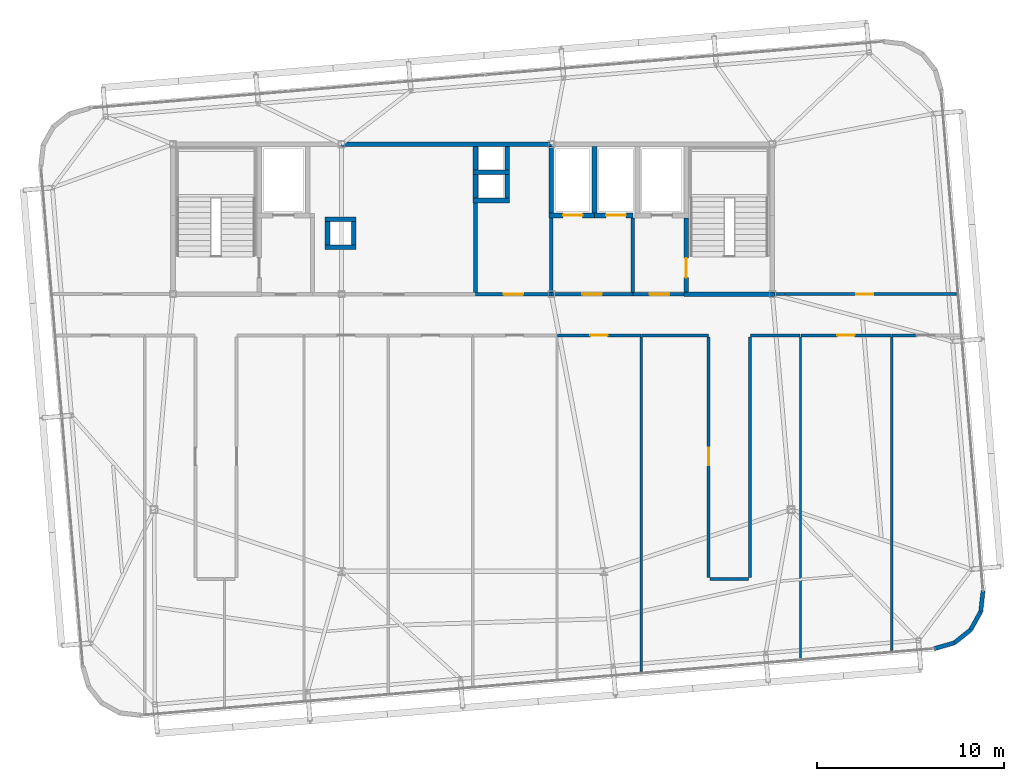
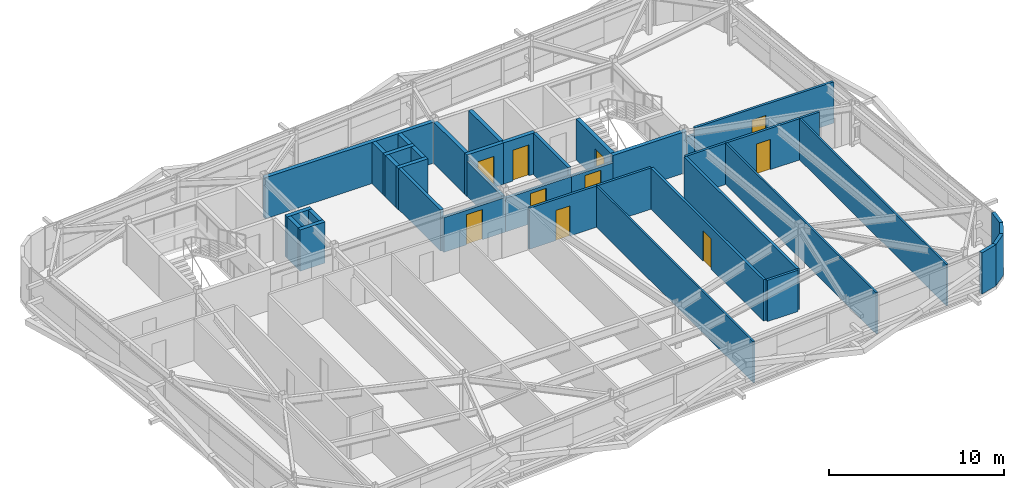
# One storey, part 36 of 39: 40 walls, 10 doors, 10 openings.
"""IFC4 building model written with IfcOpenShell, lengths in metres."""

import ifcopenshell
import ifcopenshell.guid

model = None  # the IFC model being written
_history = None  # IfcOwnerHistory: only IFC2X3 demands one
_inside = {}  # id of a spatial element -> (the spatial element, [elements in it])
_under = {}  # id of a project, library or spatial element -> (it, [spatial elements below it])
_declared = {}  # id of a project -> (the project, [libraries it declares])
_typed = {}  # id of a type object -> (the type object, [elements of that type])
_made_of = {}  # id of a material, layer set ... -> (it, [elements and type objects made of it])


def new_model(schema):
    """Start an empty IFC model of exactly this schema.

    Asked for "IFC4X3", IfcOpenShell would pick the latest addendum, in which some entities
    have other attributes; the version numbers below select the first issue.
    IFC2X3 requires an IfcOwnerHistory on every rooted entity: one is made here for all.
    """
    global model, _history
    if schema == "IFC4X3":
        model = ifcopenshell.file(schema_version=(4, 3, 0, 0))
    else:
        model = ifcopenshell.file(schema=schema)
    _inside.clear()
    _under.clear()
    _declared.clear()
    _typed.clear()
    _made_of.clear()
    _history = None
    if model.schema == "IFC2X3":
        org = make("IfcOrganization", Name="unknown")
        user = make(
            "IfcPersonAndOrganization",
            ThePerson=make("IfcPerson", FamilyName="unknown"),
            TheOrganization=org,
        )
        app = make(
            "IfcApplication",
            ApplicationDeveloper=org,
            Version="unknown",
            ApplicationFullName="unknown",
            ApplicationIdentifier="unknown",
        )
        _history = make(
            "IfcOwnerHistory",
            OwningUser=user,
            OwningApplication=app,
            ChangeAction="ADDED",
            CreationDate=0,
        )
    return model


def make(cls, **values):
    """One entity of the class cls with the attributes given. An attribute that is None is left unset."""
    return model.create_entity(
        cls, **{name: value for name, value in values.items() if value is not None}
    )


def rooted(cls, **values):
    """An entity with a GlobalId (a new one), such as an element, a storey or a relation."""
    return make(cls, GlobalId=ifcopenshell.guid.new(), OwnerHistory=_history, **values)


def si_unit(unit_type, name, prefix=None):
    """IfcSIUnit, for example si_unit("LENGTHUNIT", "METRE", prefix="MILLI")."""
    return make("IfcSIUnit", UnitType=unit_type, Prefix=prefix, Name=name)


def assignment(units):
    """IfcUnitAssignment: the units of a project."""
    return None if units is None else make("IfcUnitAssignment", Units=units)


def point(xyz):
    """IfcCartesianPoint."""
    return None if xyz is None else make("IfcCartesianPoint", Coordinates=xyz)


def direction(xyz):
    """IfcDirection."""
    return None if xyz is None else make("IfcDirection", DirectionRatios=xyz)


def frame(location, z_axis=None, x_axis=None):
    """IfcAxis2Placement3D, a coordinate frame: its origin and axes. An axis left out is left unset."""
    return make(
        "IfcAxis2Placement3D",
        Location=point(location),
        Axis=direction(z_axis),
        RefDirection=direction(x_axis),
    )


def frame_2d(location, x_axis=None):
    """IfcAxis2Placement2D, a coordinate frame in the plane: its origin and x axis."""
    return make(
        "IfcAxis2Placement2D", Location=point(location), RefDirection=direction(x_axis)
    )


def origin():
    """The frame at (0, 0, 0) with its axes left unset."""
    return frame((0.0, 0.0, 0.0))


def place(relative_to, where):
    """IfcLocalPlacement: puts the frame where relative to a parent placement (None: the world)."""
    return make(
        "IfcLocalPlacement", PlacementRelTo=relative_to, RelativePlacement=where
    )


def context(
    kind, dimensions, precision=None, world=None, true_north=None, identifier=None
):
    """IfcGeometricRepresentationContext, for example the 3D "Model" context."""
    return make(
        "IfcGeometricRepresentationContext",
        ContextIdentifier=identifier,
        ContextType=kind,
        CoordinateSpaceDimension=dimensions,
        Precision=precision,
        WorldCoordinateSystem=world,
        TrueNorth=true_north,
    )


def subcontext(parent, identifier, kind, view, scale=None):
    """IfcGeometricRepresentationSubContext, for example "Body" below "Model"."""
    return make(
        "IfcGeometricRepresentationSubContext",
        ContextIdentifier=identifier,
        ContextType=kind,
        ParentContext=parent,
        TargetScale=scale,
        TargetView=view,
    )


def project(units=None, contexts=None):
    """IfcProject with its units and contexts."""
    return rooted(
        "IfcProject",
        Name="project",
        RepresentationContexts=contexts,
        UnitsInContext=assignment(units),
    )


def spatial(cls, under=None, at=None, **own):
    """A site, building, storey or space (cls), placed at a placement, below another one or the project."""
    s = rooted(cls, ObjectPlacement=at, **own)
    if under is not None:
        _under.setdefault(under.id(), (under, []))[1].append(s)
    return s


def profile(cls, at=None, kind="AREA", **sizes):
    """A parametric profile (cls). Its sizes go by their IFC names, for example OverallWidth=200.0."""
    return make(cls, ProfileType=kind, Position=at, **sizes)


def rectangle(**sizes):
    """IfcRectangleProfileDef."""
    return profile("IfcRectangleProfileDef", **sizes)


def extrude(swept, where, along, depth):
    """IfcExtrudedAreaSolid: the profile swept, set in the frame where, extruded along a direction by depth."""
    return make(
        "IfcExtrudedAreaSolid",
        SweptArea=swept,
        Position=where,
        ExtrudedDirection=direction(along),
        Depth=depth,
    )


def shape(context_of_items, identifier, shape_type, items):
    """IfcShapeRepresentation: the items that make up one representation, for example the "Body"."""
    return make(
        "IfcShapeRepresentation",
        ContextOfItems=context_of_items,
        RepresentationIdentifier=identifier,
        RepresentationType=shape_type,
        Items=items,
    )


def source(mapping_origin, context_of_items, identifier, shape_type, items):
    """IfcRepresentationMap: a shape defined once, which mapped items show again and again."""
    return make(
        "IfcRepresentationMap",
        MappingOrigin=mapping_origin,
        MappedRepresentation=shape(context_of_items, identifier, shape_type, items),
    )


def transform(
    local_origin,
    x_axis=None,
    y_axis=None,
    z_axis=None,
    scale=None,
    scale2=None,
    scale3=None,
    uniform=True,
):
    """IfcCartesianTransformationOperator3D, or its non-uniform kind. x_axis, y_axis, z_axis: its Axis1, 2, 3."""
    if uniform:
        return make(
            "IfcCartesianTransformationOperator3D",
            Axis1=direction(x_axis),
            Axis2=direction(y_axis),
            LocalOrigin=point(local_origin),
            Scale=scale,
            Axis3=direction(z_axis),
        )
    return make(
        "IfcCartesianTransformationOperator3DnonUniform",
        Axis1=direction(x_axis),
        Axis2=direction(y_axis),
        LocalOrigin=point(local_origin),
        Scale=scale,
        Axis3=direction(z_axis),
        Scale2=scale2,
        Scale3=scale3,
    )


def mapped(mapping_source, mapping_target):
    """IfcMappedItem: shows the shape of a source again, moved by a transform."""
    return make(
        "IfcMappedItem", MappingSource=mapping_source, MappingTarget=mapping_target
    )


def material(Name=None, Category=None):
    """IfcMaterial."""
    return make("IfcMaterial", Name=Name, Category=Category)


def layer(
    of_material, thickness, ventilated=None, Name=None, Category=None, Priority=None
):
    """IfcMaterialLayer: one layer of a wall or slab, of a material (None: an air gap)."""
    return make(
        "IfcMaterialLayer",
        Material=of_material,
        LayerThickness=thickness,
        IsVentilated=ventilated,
        Name=Name,
        Category=Category,
        Priority=Priority,
    )


def layer_set(layers, Name=None):
    """IfcMaterialLayerSet."""
    return make("IfcMaterialLayerSet", MaterialLayers=layers, LayerSetName=Name)


def made_of(thing, what):
    """Note that an element or type object is made of a material, layer set ...; save() writes the relation."""
    if what is not None:
        _made_of.setdefault(what.id(), (what, []))[1].append(thing)
    return thing


def type_object(cls, material=None, **own):
    """A type object (cls), such as IfcWallType, which elements share."""
    return made_of(rooted(cls, **own), material)


def element(
    cls,
    number,
    at=None,
    inside=None,
    cuts=None,
    type_object=None,
    material=None,
    context=None,
    identifier="Body",
    shape_type=None,
    held_by="IfcProductDefinitionShape",
    body=None,
    shapes=None,
    **own,
):
    """One element of the class cls, such as IfcWall. Its Tag is "e" and its number.

    at: its placement. inside: the storey or other place that contains it. cuts: it is an
    opening in that element (IfcRelVoidsElement). A single representation is given by context,
    identifier, shape_type and body (its items); several are given by shapes. held_by: the class
    of the entity that holds the representations. save() writes the other relations.
    """
    e = rooted(cls, Tag="e%d" % number, ObjectPlacement=at, **own)
    if body is not None:
        shapes = [shape(context, identifier, shape_type, body)]
    if shapes is not None:
        e.Representation = make(held_by, Representations=shapes)
    if inside is not None:
        _inside.setdefault(inside.id(), (inside, []))[1].append(e)
    if cuts is not None:
        rooted(
            "IfcRelVoidsElement", RelatingBuildingElement=cuts, RelatedOpeningElement=e
        )
    if type_object is not None:
        _typed.setdefault(type_object.id(), (type_object, []))[1].append(e)
    return made_of(e, material)


def fill(opening, filler):
    """IfcRelFillsElement: the door or window that sits in an opening."""
    return rooted(
        "IfcRelFillsElement",
        RelatingOpeningElement=opening,
        RelatedBuildingElement=filler,
    )


def aggregate(whole, parts):
    """IfcRelAggregates: a whole, such as a stair, and the parts it consists of."""
    return rooted("IfcRelAggregates", RelatingObject=whole, RelatedObjects=parts)


def save(model, path):
    """Write the relations noted so far, then the file.

    IfcRelAggregates (storeys below a building ...), IfcRelContainedInSpatialStructure (elements
    in a storey), IfcRelDefinesByType, IfcRelAssociatesMaterial and IfcRelDeclares: one each for
    every whole, place, type object, material and project.
    """
    for whole, parts in _under.values():
        aggregate(whole, parts)
    for where, things in _inside.values():
        rooted(
            "IfcRelContainedInSpatialStructure",
            RelatedElements=things,
            RelatingStructure=where,
        )
    for kind, things in _typed.values():
        rooted("IfcRelDefinesByType", RelatedObjects=things, RelatingType=kind)
    for what, things in _made_of.values():
        rooted("IfcRelAssociatesMaterial", RelatedObjects=things, RelatingMaterial=what)
    for by, libraries in _declared.values():
        rooted("IfcRelDeclares", RelatingContext=by, RelatedDefinitions=libraries)
    model.write(path)


model = new_model("IFC4")

# Units and contexts
model_context = context("Model", 3, precision=1e-05, world=origin(), true_north=direction((0.0, 1.0)))
body_context = subcontext(model_context, "Body", "Model", "MODEL_VIEW")
ifc_project = project(units=[si_unit("LENGTHUNIT", "METRE"), si_unit("AREAUNIT", "SQUARE_METRE"), si_unit("VOLUMEUNIT", "CUBIC_METRE"), si_unit("PLANEANGLEUNIT", "RADIAN"), si_unit("MASSUNIT", "GRAM", prefix="KILO")], contexts=[model_context])

# Site, building, storey
site_placement = place(None, origin())
site = spatial("IfcSite", under=ifc_project, at=site_placement, CompositionType="ELEMENT")
building_placement = place(site_placement, origin())
building = spatial("IfcBuilding", under=site, at=building_placement, Name="Taldren Reach Tower", CompositionType="ELEMENT")
storey_placement = place(building_placement, frame((0.0, 0.0, 204.050048828125)))
storey = spatial("IfcBuildingStorey", under=building, at=storey_placement, Name="L62", CompositionType="ELEMENT", Elevation=204.050048828125)

# Walls
ifc_material_1 = material(Name="Pale Champagne Anodised Aluminium Cladding", Category="aluminium")
ifc_layer_1 = layer(ifc_material_1, 0.04, Name="Pale Champagne Anodised Aluminium Cladding", Category="aluminium")
ifc_material_2 = material(Name="Mineral Wool Acoustic Insulation", Category="insulation")
ifc_layer_2 = layer(ifc_material_2, 0.06, Name="Mineral Wool Acoustic Insulation", Category="insulation")
ifc_material_3 = material(Name="Steel Gr 350 (C350L0)", Category="steel")
ifc_layer_3 = layer(ifc_material_3, 0.12, Name="Steel Gr 350 (C350L0)", Category="steel")
ifc_layer_set_1 = layer_set([ifc_layer_1, ifc_layer_2, ifc_layer_3], Name="Pale Champagne Aluminium Cladding and Steel Gr 350 Stud Framing")
wall_type_1 = type_object("IfcWallType", Name="EW-CRN-220", PredefinedType="SOLIDWALL", material=ifc_layer_set_1)
shared_shape_1 = source(origin(), body_context, "Body", "SweptSolid", [
    extrude(rectangle(XDim=1.115966796875, YDim=0.219970703125, at=frame_2d((0.55810546875, 0.0))), origin(), (0.0, 0.0, 1.0), 2.869873046875),
])
for number, where, z_axis, x_axis, name in (
    (1, (59.635986328125, 5.0751953125, 0.0), (0.0, 0.0, 1.0), (0.961010464297, 0.276512002475, 0.0), "Rounded-corner pale-metal facade wall L62-SE1"),
    (2, (60.70849609375, 5.3837890625, 0.0), (0.0, 0.0, 1.0), (0.782147847222, 0.623092886403, 0.0), "Rounded-corner pale-metal facade wall L62-SE2"),
    (3, (61.581298828125, 6.0791015625, 0.0), (0.0, 0.0, 1.0), (0.483933071672, 0.875105012065, 0.0), "Rounded-corner pale-metal facade wall L62-SE3"),
    (4, (62.121337890625, 7.0556640625, 0.0), (0.0, 0.0, 1.0), (0.112448259968, 0.993657581277, 0.0), "Rounded-corner pale-metal facade wall L62-SE4"),
):
    element("IfcWall", number, at=place(storey_placement, frame(where, z_axis=z_axis, x_axis=x_axis)), inside=storey, type_object=wall_type_1, Name=name, PredefinedType="SOLIDWALL", context=body_context, shape_type="MappedRepresentation", body=[
        mapped(shared_shape_1, transform((0.0, 0.0, 0.0), scale=1.0)),
    ])

# Wall, opening, door
ifc_material_4 = material(Name="Fire-Rated Acoustic Plasterboard Stud Wall", Category="gypsum")
ifc_layer_4 = layer(ifc_material_4, 0.159912109375)
ifc_layer_set_2 = layer_set([ifc_layer_4], Name="Fire-Rated Acoustic Plasterboard Stud Wall")
wall_type_2 = type_object("IfcWallType", Name="IW-FIRE-160", PredefinedType="PARTITIONING", material=ifc_layer_set_2)
shared_shape_2 = source(origin(), body_context, "Body", "SweptSolid", [
    extrude(rectangle(XDim=4.45947265625, YDim=0.159912109375, at=frame_2d((2.229736328125, 0.0))), origin(), (0.0, 0.0, 1.0), 2.869873046875),
])
wall_1_placement = place(storey_placement, frame((43.979736328125, 21.800048828125, 0.0), z_axis=(0.0, 0.0, 1.0), x_axis=(-1.0, 0.0, 0.0)))
wall_1 = element("IfcWall", 5, at=wall_1_placement, inside=storey, type_object=wall_type_2, Name="Interior Partition Wall W-INT-L62-046", PredefinedType="PARTITIONING", context=body_context, shape_type="MappedRepresentation", body=[
    mapped(shared_shape_2, transform((0.0, 0.0, 0.0), scale=1.0)),
])
shared_shape_3 = source(origin(), body_context, "Body", "SweptSolid", [
    extrude(rectangle(XDim=0.919921875, YDim=2.10009765625, at=frame_2d((0.4599609375, 1.050048828125))), frame((0.0, 0.08984375, 0.0), z_axis=(0.0, -1.0, 0.0), x_axis=(1.0, 0.0, 0.0)), (0.0, 0.0, 1.0), 0.179931640625),
])
opening_1_placement = place(wall_1_placement, frame((1.769775390625, 0.0, 0.0)))
opening_1 = element("IfcOpeningElement", 6, at=opening_1_placement, cuts=wall_1, Name="Opening DI-092", PredefinedType="OPENING", context=body_context, shape_type="MappedRepresentation", body=[
    mapped(shared_shape_3, transform((0.0, 0.0, 0.0), scale=1.0)),
])
ifc_material_5 = material(Name="Solid-Core Timber Suite Door", Category="wood")
door_type_1 = type_object("IfcDoorType", Name="ID-INT-092", OperationType="NOTDEFINED", PredefinedType="DOOR", material=ifc_material_5)
shared_shape_4 = source(origin(), body_context, "Body", "SweptSolid", [
    extrude(rectangle(XDim=0.919921875, YDim=2.10009765625, at=frame_2d((0.4599609375, 1.050048828125))), frame((0.0, 0.02490234375, 0.0), z_axis=(0.0, -1.0, 0.0), x_axis=(1.0, 0.0, 0.0)), (0.0, 0.0, 1.0), 0.050048828125),
])
door_1_placement = place(opening_1_placement, origin())
door_1 = element("IfcDoor", 7, at=door_1_placement, inside=storey, type_object=door_type_1, Name="Interior Door DR-L62-016", OperationType="SINGLE_SWING_LEFT", OverallHeight=2.10009765625, OverallWidth=0.919921875, PredefinedType="DOOR", context=body_context, shape_type="MappedRepresentation", body=[
    mapped(shared_shape_4, transform((0.0, 0.0, 0.0), scale=1.0)),
])
fill(opening_1, door_1)

# Walls
ifc_material_6 = material(Name="Concrete S65 (65 MPa)", Category="concrete")
ifc_layer_5 = layer(ifc_material_6, 0.25)
ifc_layer_set_3 = layer_set([ifc_layer_5], Name="Concrete S65 (65 MPa)")
wall_type_3 = type_object("IfcWallType", Name="IW-CORE-250", PredefinedType="SHEAR", material=ifc_layer_set_3)
shared_shape_5 = source(origin(), body_context, "Body", "SweptSolid", [
    extrude(rectangle(XDim=11.199951171875, YDim=0.25, at=frame_2d((5.60009765625, 0.0))), origin(), (0.0, 0.0, 1.0), 2.869873046875),
])
wall_2_placement = place(storey_placement, frame((28.0, 32.0, 0.0), z_axis=(0.0, 0.0, 1.0), x_axis=(1.0, 0.0, 0.0)))
element("IfcWall", 8, at=wall_2_placement, inside=storey, type_object=wall_type_3, Name="Rear Core Shear Wall W-CORE-L62-NORTH2", PredefinedType="SHEAR", context=body_context, shape_type="MappedRepresentation", body=[
    mapped(shared_shape_5, transform((0.0, 0.0, 0.0), scale=1.0)),
])
shared_shape_6 = source(origin(), body_context, "Body", "SweptSolid", [
    extrude(rectangle(XDim=3.550048828125, YDim=0.25, at=frame_2d((1.77490234375, 0.0))), origin(), (0.0, 0.0, 1.0), 2.869873046875),
])
for number, where, z_axis, x_axis, name in (
    (9, (41.5, 28.324951171875, 0.0), (0.0, 0.0, 1.0), (0.0, 1.0, 0.0), "Rear Core Shear Wall W-INT-L62-025"),
    (10, (39.199951171875, 31.875, 0.0), (0.0, 0.0, 1.0), (0.0, -1.0, 0.0), "Rear Core Shear Wall W-INT-L62-027"),
):
    element("IfcWall", number, at=place(storey_placement, frame(where, z_axis=z_axis, x_axis=x_axis)), inside=storey, type_object=wall_type_3, Name=name, PredefinedType="SHEAR", context=body_context, shape_type="MappedRepresentation", body=[
        mapped(shared_shape_6, transform((0.0, 0.0, 0.0), scale=1.0)),
    ])

# Wall, opening, door
shared_shape_7 = source(origin(), body_context, "Body", "SweptSolid", [
    extrude(rectangle(XDim=3.949951171875, YDim=0.25, at=frame_2d((1.97509765625, 0.0))), origin(), (0.0, 0.0, 1.0), 2.869873046875),
])
wall_3_placement = place(storey_placement, frame((46.39990234375, 28.074951171875, 0.0), z_axis=(0.0, 0.0, 1.0), x_axis=(0.0, -1.0, 0.0)))
wall_3 = element("IfcWall", 11, at=wall_3_placement, inside=storey, type_object=wall_type_3, Name="Rear Core Shear Wall W-INT-L62-009", PredefinedType="SHEAR", context=body_context, shape_type="MappedRepresentation", body=[
    mapped(shared_shape_7, transform((0.0, 0.0, 0.0), scale=1.0)),
])
shared_shape_8 = source(origin(), body_context, "Body", "SweptSolid", [
    extrude(rectangle(XDim=1.050048828125, YDim=2.10009765625, at=frame_2d((0.52490234375, 1.050048828125))), frame((0.0, 0.135009765625, 0.0), z_axis=(0.0, -1.0, 0.0), x_axis=(1.0, 0.0, 0.0)), (0.0, 0.0, 1.0), 0.27001953125),
])
opening_2_placement = place(wall_3_placement, frame((2.14990234375, 0.0, 0.0)))
opening_2 = element("IfcOpeningElement", 12, at=opening_2_placement, cuts=wall_3, Name="Opening DF-105", PredefinedType="OPENING", context=body_context, shape_type="MappedRepresentation", body=[
    mapped(shared_shape_8, transform((0.0, 0.0, 0.0), scale=1.0)),
])
ifc_material_7 = material(Name="Fire-Rated Care and Stair Exit Door")
door_type_2 = type_object("IfcDoorType", Name="ID-FIRE-105", OperationType="NOTDEFINED", PredefinedType="DOOR", material=ifc_material_7)
shared_shape_9 = source(origin(), body_context, "Body", "SweptSolid", [
    extrude(rectangle(XDim=1.050048828125, YDim=2.10009765625, at=frame_2d((0.52490234375, 1.050048828125))), frame((0.0, 0.02490234375, 0.0), z_axis=(0.0, -1.0, 0.0), x_axis=(1.0, 0.0, 0.0)), (0.0, 0.0, 1.0), 0.050048828125),
])
door_2_placement = place(opening_2_placement, origin())
door_2 = element("IfcDoor", 13, at=door_2_placement, inside=storey, type_object=door_type_2, Name="Fire Exit Stair Door DR-L62-003", OperationType="SINGLE_SWING_RIGHT", OverallHeight=2.10009765625, OverallWidth=1.050048828125, PredefinedType="DOOR", context=body_context, shape_type="MappedRepresentation", body=[
    mapped(shared_shape_9, transform((0.0, 0.0, 0.0), scale=1.0)),
])
fill(opening_2, door_2)

# Walls
shared_shape_10 = source(origin(), body_context, "Body", "SweptSolid", [
    extrude(rectangle(XDim=4.85009765625, YDim=0.25, at=frame_2d((2.425048828125, 0.0))), origin(), (0.0, 0.0, 1.0), 2.869873046875),
])
wall_4_placement = place(storey_placement, frame((46.27490234375, 24.0, 0.0), z_axis=(0.0, 0.0, 1.0), x_axis=(1.0, 0.0, 0.0)))
element("IfcWall", 14, at=wall_4_placement, inside=storey, type_object=wall_type_3, Name="Rear Core Shear Wall W-INT-L62-010", PredefinedType="SHEAR", context=body_context, shape_type="MappedRepresentation", body=[
    mapped(shared_shape_10, transform((0.0, 0.0, 0.0), scale=1.0)),
])
ifc_material_8 = material(Name="Concrete S50 (50 MPa)", Category="concrete")
ifc_layer_6 = layer(ifc_material_8, 0.199951171875)
ifc_layer_set_4 = layer_set([ifc_layer_6], Name="Concrete S50 (50 MPa)")
wall_type_4 = type_object("IfcWallType", Name="IW-CORE-200", PredefinedType="SOLIDWALL", material=ifc_layer_set_4)
shared_shape_11 = source(origin(), body_context, "Body", "SweptSolid", [
    extrude(rectangle(XDim=3.974853515625, YDim=0.199951171875, at=frame_2d((1.9873046875, 0.0))), origin(), (0.0, 0.0, 1.0), 2.869873046875),
])
wall_5_placement = place(storey_placement, frame((43.550048828125, 28.074951171875, 0.0), z_axis=(0.0, 0.0, 1.0), x_axis=(0.0, -1.0, 0.0)))
element("IfcWall", 15, at=wall_5_placement, inside=storey, type_object=wall_type_4, Name="Rear Core Shear Wall W-INT-L62-013", PredefinedType="SOLIDWALL", context=body_context, shape_type="MappedRepresentation", body=[
    mapped(shared_shape_11, transform((0.0, 0.0, 0.0), scale=1.0)),
])

# Wall, opening, door
shared_shape_12 = source(origin(), body_context, "Body", "SweptSolid", [
    extrude(rectangle(XDim=2.724853515625, YDim=0.199951171875, at=frame_2d((1.3623046875, 0.0))), origin(), (0.0, 0.0, 1.0), 2.3369140625),
])
wall_6_placement = place(storey_placement, frame((43.550048828125, 24.0, 0.0), z_axis=(0.0, 0.0, 1.0), x_axis=(1.0, 0.0, 0.0)))
wall_6 = element("IfcWall", 16, at=wall_6_placement, inside=storey, type_object=wall_type_4, Name="Rear Core Shear Wall W-INT-L62-014", PredefinedType="SOLIDWALL", context=body_context, shape_type="MappedRepresentation", body=[
    mapped(shared_shape_12, transform((0.0, 0.0, 0.0), scale=1.0)),
])
shared_shape_13 = source(origin(), body_context, "Body", "SweptSolid", [
    extrude(rectangle(XDim=1.050048828125, YDim=2.10009765625, at=frame_2d((0.52490234375, 1.050048828125))), frame((0.0, 0.10986328125, 0.0), z_axis=(0.0, -1.0, 0.0), x_axis=(1.0, 0.0, 0.0)), (0.0, 0.0, 1.0), 0.219970703125),
])
opening_3_placement = place(wall_6_placement, frame((0.89990234375, 0.0, 0.0)))
opening_3 = element("IfcOpeningElement", 17, at=opening_3_placement, cuts=wall_6, Name="Opening DF-105", PredefinedType="OPENING", context=body_context, shape_type="MappedRepresentation", body=[
    mapped(shared_shape_13, transform((0.0, 0.0, 0.0), scale=1.0)),
])
door_3_placement = place(opening_3_placement, origin())
door_3 = element("IfcDoor", 18, at=door_3_placement, inside=storey, type_object=door_type_2, Name="Interior Door DR-L62-004", OperationType="SINGLE_SWING_LEFT", OverallHeight=2.10009765625, OverallWidth=1.050048828125, PredefinedType="DOOR", context=body_context, shape_type="MappedRepresentation", body=[
    mapped(shared_shape_9, transform((0.0, 0.0, 0.0), scale=1.0)),
])
fill(opening_3, door_3)

# Walls
shared_shape_14 = source(origin(), body_context, "Body", "SweptSolid", [
    extrude(rectangle(XDim=1.9501953125, YDim=0.25, at=frame_2d((0.97509765625, 0.0))), origin(), (0.0, 0.0, 1.0), 2.869873046875),
])
for number, where, z_axis, x_axis, name in (
    (19, (35.02490234375, 30.5, 0.0), (0.0, 0.0, 1.0), (1.0, 0.0, 0.0), "Rear Core Shear Wall W-INT-L62-015"),
    (20, (35.02490234375, 29.0, 0.0), (0.0, 0.0, 1.0), (1.0, 0.0, 0.0), "Rear Core Shear Wall W-INT-L62-019"),
):
    element("IfcWall", number, at=place(storey_placement, frame(where, z_axis=z_axis, x_axis=x_axis)), inside=storey, type_object=wall_type_3, Name=name, PredefinedType="SHEAR", context=body_context, shape_type="MappedRepresentation", body=[
        mapped(shared_shape_14, transform((0.0, 0.0, 0.0), scale=1.0)),
    ])
shared_shape_15 = source(origin(), body_context, "Body", "SweptSolid", [
    extrude(rectangle(XDim=1.25, YDim=0.25, at=frame_2d((0.625, 0.0))), origin(), (0.0, 0.0, 1.0), 2.869873046875),
])
for number, where, z_axis, x_axis, name in (
    (21, (35.14990234375, 31.875, 0.0), (0.0, 0.0, 1.0), (0.0, -1.0, 0.0), "Rear Core Shear Wall W-INT-L62-016"),
    (22, (36.85009765625, 30.625, 0.0), (0.0, 0.0, 1.0), (0.0, 1.0, 0.0), "Rear Core Shear Wall W-INT-L62-017"),
    (23, (35.14990234375, 30.375, 0.0), (0.0, 0.0, 1.0), (0.0, -1.0, 0.0), "Rear Core Shear Wall W-INT-L62-018"),
    (24, (36.85009765625, 29.125, 0.0), (0.0, 0.0, 1.0), (0.0, 1.0, 0.0), "Rear Core Shear Wall W-INT-L62-020"),
    (25, (28.64990234375, 26.625, 0.0), (0.0, 0.0, 1.0), (0.0, 1.0, 0.0), "Rear Core Shear Wall W-INT-L62-021"),
    (26, (27.25, 27.875, 0.0), (0.0, 0.0, 1.0), (0.0, -1.0, 0.0), "Rear Core Shear Wall W-INT-L62-022"),
):
    element("IfcWall", number, at=place(storey_placement, frame(where, z_axis=z_axis, x_axis=x_axis)), inside=storey, type_object=wall_type_3, Name=name, PredefinedType="SHEAR", context=body_context, shape_type="MappedRepresentation", body=[
        mapped(shared_shape_15, transform((0.0, 0.0, 0.0), scale=1.0)),
    ])
shared_shape_16 = source(origin(), body_context, "Body", "SweptSolid", [
    extrude(rectangle(XDim=1.64990234375, YDim=0.25, at=frame_2d((0.824951171875, 0.0))), origin(), (0.0, 0.0, 1.0), 2.869873046875),
])
for number, where, z_axis, x_axis, name in (
    (27, (28.77490234375, 28.0, 0.0), (0.0, 0.0, 1.0), (-1.0, 0.0, 0.0), "Rear Core Shear Wall W-INT-L62-023"),
    (28, (27.125, 26.5, 0.0), (0.0, 0.0, 1.0), (1.0, 0.0, 0.0), "Rear Core Shear Wall W-INT-L62-024"),
):
    element("IfcWall", number, at=place(storey_placement, frame(where, z_axis=z_axis, x_axis=x_axis)), inside=storey, type_object=wall_type_3, Name=name, PredefinedType="SHEAR", context=body_context, shape_type="MappedRepresentation", body=[
        mapped(shared_shape_16, transform((0.0, 0.0, 0.0), scale=1.0)),
    ])

# Wall, opening, door
shared_shape_17 = source(origin(), body_context, "Body", "SweptSolid", [
    extrude(rectangle(XDim=2.425048828125, YDim=0.25, at=frame_2d((1.21240234375, 0.0))), origin(), (0.0, 0.0, 1.0), 2.869873046875),
])
wall_7_placement = place(storey_placement, frame((39.074951171875, 28.199951171875, 0.0), z_axis=(0.0, 0.0, 1.0), x_axis=(1.0, 0.0, 0.0)))
wall_7 = element("IfcWall", 29, at=wall_7_placement, inside=storey, type_object=wall_type_3, Name="Rear Core Shear Wall W-INT-L62-026", PredefinedType="SHEAR", context=body_context, shape_type="MappedRepresentation", body=[
    mapped(shared_shape_17, transform((0.0, 0.0, 0.0), scale=1.0)),
])
shared_shape_18 = source(origin(), body_context, "Body", "SweptSolid", [
    extrude(rectangle(XDim=1.050048828125, YDim=2.14990234375, at=frame_2d((0.52490234375, 1.074951171875))), frame((0.0, 0.135009765625, 0.0), z_axis=(0.0, -1.0, 0.0), x_axis=(1.0, 0.0, 0.0)), (0.0, 0.0, 1.0), 0.27001953125),
])
opening_4_placement = place(wall_7_placement, frame((0.75, 0.0, 0.0)))
opening_4 = element("IfcOpeningElement", 30, at=opening_4_placement, cuts=wall_7, Name="Opening LD-PH1", PredefinedType="OPENING", context=body_context, shape_type="MappedRepresentation", body=[
    mapped(shared_shape_18, transform((0.0, 0.0, 0.0), scale=1.0)),
])
ifc_material_9 = material(Name="Stainless Steel Gr 316 Passenger Lift Landing Door", Category="steel")
door_type_3 = type_object("IfcDoorType", Name="LD-PAS-105", OperationType="SLIDING_TO_LEFT", PredefinedType="DOOR", material=ifc_material_9)
shared_shape_19 = source(origin(), body_context, "Body", "SweptSolid", [
    extrude(rectangle(XDim=1.050048828125, YDim=2.14990234375, at=frame_2d((0.52490234375, 1.074951171875))), frame((0.0, 0.02490234375, 0.0), z_axis=(0.0, -1.0, 0.0), x_axis=(1.0, 0.0, 0.0)), (0.0, 0.0, 1.0), 0.050048828125),
])
door_4_placement = place(opening_4_placement, origin())
door_4 = element("IfcDoor", 31, at=door_4_placement, inside=storey, type_object=door_type_3, Name="Lift Landing Door LD-PH1-L62", OperationType="SLIDING_TO_LEFT", OverallHeight=2.14990234375, OverallWidth=1.050048828125, PredefinedType="DOOR", context=body_context, shape_type="MappedRepresentation", body=[
    mapped(shared_shape_19, transform((0.0, 0.0, 0.0), scale=1.0)),
])
fill(opening_4, door_4)

shared_shape_20 = source(origin(), body_context, "Body", "SweptSolid", [
    extrude(rectangle(XDim=2.070068359375, YDim=0.25, at=frame_2d((1.03515625, 0.0))), origin(), (0.0, 0.0, 1.0), 2.869873046875),
])
wall_8_placement = place(storey_placement, frame((41.5, 28.199951171875, 0.0), z_axis=(0.0, 0.0, 1.0), x_axis=(1.0, 0.0, 0.0)))
wall_8 = element("IfcWall", 32, at=wall_8_placement, inside=storey, type_object=wall_type_3, Name="Rear Core Shear Wall W-INT-L62-028", PredefinedType="SHEAR", context=body_context, shape_type="MappedRepresentation", body=[
    mapped(shared_shape_20, transform((0.0, 0.0, 0.0), scale=1.0)),
])
opening_5_placement = place(wall_8_placement, frame((0.625, 0.0, 0.0)))
opening_5 = element("IfcOpeningElement", 33, at=opening_5_placement, cuts=wall_8, Name="Opening LD-PH2", PredefinedType="OPENING", context=body_context, shape_type="MappedRepresentation", body=[
    mapped(shared_shape_18, transform((0.0, 0.0, 0.0), scale=1.0)),
])
door_5_placement = place(opening_5_placement, origin())
door_5 = element("IfcDoor", 34, at=door_5_placement, inside=storey, type_object=door_type_3, Name="Lift Landing Door LD-PH2-L62", OperationType="SLIDING_TO_LEFT", OverallHeight=2.14990234375, OverallWidth=1.050048828125, PredefinedType="DOOR", context=body_context, shape_type="MappedRepresentation", body=[
    mapped(shared_shape_19, transform((0.0, 0.0, 0.0), scale=1.0)),
])
fill(opening_5, door_5)

# Wall
shared_shape_21 = source(origin(), body_context, "Body", "SweptSolid", [
    extrude(rectangle(XDim=3.974853515625, YDim=0.199951171875, at=frame_2d((1.9873046875, 0.0))), origin(), (0.0, 0.0, 1.0), 2.409912109375),
])
wall_9_placement = place(storey_placement, frame((39.199951171875, 24.10009765625, 0.0), z_axis=(0.0, 0.0, 1.0), x_axis=(0.0, 1.0, 0.0)))
element("IfcWall", 35, at=wall_9_placement, inside=storey, type_object=wall_type_4, Name="Rear Core Shear Wall W-INT-L62-029", PredefinedType="SOLIDWALL", context=body_context, shape_type="MappedRepresentation", body=[
    mapped(shared_shape_21, transform((0.0, 0.0, 0.0), scale=1.0)),
])

# Wall, opening, door
shared_shape_22 = source(origin(), body_context, "Body", "SweptSolid", [
    extrude(rectangle(XDim=4.35009765625, YDim=0.199951171875, at=frame_2d((2.175048828125, 0.0))), origin(), (0.0, 0.0, 1.0), 2.3369140625),
])
wall_10_placement = place(storey_placement, frame((43.550048828125, 24.0, 0.0), z_axis=(0.0, 0.0, 1.0), x_axis=(-1.0, 0.0, 0.0)))
wall_10 = element("IfcWall", 36, at=wall_10_placement, inside=storey, type_object=wall_type_4, Name="Rear Core Shear Wall W-INT-L62-030", PredefinedType="SOLIDWALL", context=body_context, shape_type="MappedRepresentation", body=[
    mapped(shared_shape_22, transform((0.0, 0.0, 0.0), scale=1.0)),
])
opening_6_placement = place(wall_10_placement, frame((1.64990234375, 0.0, 0.0)))
opening_6 = element("IfcOpeningElement", 37, at=opening_6_placement, cuts=wall_10, Name="Opening DF-105", PredefinedType="OPENING", context=body_context, shape_type="MappedRepresentation", body=[
    mapped(shared_shape_13, transform((0.0, 0.0, 0.0), scale=1.0)),
])
door_6_placement = place(opening_6_placement, frame((1.050048828125, 0.0, 0.0), z_axis=(0.0, 0.0, 1.0), x_axis=(-1.0, 0.0, 0.0)))
door_6 = element("IfcDoor", 38, at=door_6_placement, inside=storey, type_object=door_type_2, Name="Interior Door DR-L62-005", OperationType="SINGLE_SWING_LEFT", OverallHeight=2.10009765625, OverallWidth=1.050048828125, PredefinedType="DOOR", context=body_context, shape_type="MappedRepresentation", body=[
    mapped(shared_shape_9, transform((0.0, 0.0, 0.0), scale=1.0)),
])
fill(opening_6, door_6)

# Wall
shared_shape_23 = source(origin(), body_context, "Body", "SweptSolid", [
    extrude(rectangle(XDim=4.77490234375, YDim=0.199951171875, at=frame_2d((2.387451171875, 0.0))), origin(), (0.0, 0.0, 1.0), 2.869873046875),
])
wall_11_placement = place(storey_placement, frame((35.14990234375, 28.875, 0.0), z_axis=(0.0, 0.0, 1.0), x_axis=(0.0, -1.0, 0.0)))
element("IfcWall", 39, at=wall_11_placement, inside=storey, type_object=wall_type_4, Name="Rear Core Shear Wall W-INT-L62-031", PredefinedType="SOLIDWALL", context=body_context, shape_type="MappedRepresentation", body=[
    mapped(shared_shape_23, transform((0.0, 0.0, 0.0), scale=1.0)),
])

# Wall, opening, door
shared_shape_24 = source(origin(), body_context, "Body", "SweptSolid", [
    extrude(rectangle(XDim=4.050048828125, YDim=0.199951171875, at=frame_2d((2.02490234375, 0.0))), origin(), (0.0, 0.0, 1.0), 2.409912109375),
])
wall_12_placement = place(storey_placement, frame((39.199951171875, 24.0, 0.0), z_axis=(0.0, 0.0, 1.0), x_axis=(-1.0, 0.0, 0.0)))
wall_12 = element("IfcWall", 40, at=wall_12_placement, inside=storey, type_object=wall_type_4, Name="Rear Core Shear Wall W-INT-L62-033", PredefinedType="SOLIDWALL", context=body_context, shape_type="MappedRepresentation", body=[
    mapped(shared_shape_24, transform((0.0, 0.0, 0.0), scale=1.0)),
])
opening_7_placement = place(wall_12_placement, frame((1.5, 0.0, 0.0)))
opening_7 = element("IfcOpeningElement", 41, at=opening_7_placement, cuts=wall_12, Name="Opening DF-105", PredefinedType="OPENING", context=body_context, shape_type="MappedRepresentation", body=[
    mapped(shared_shape_13, transform((0.0, 0.0, 0.0), scale=1.0)),
])
door_7_placement = place(opening_7_placement, frame((1.050048828125, 0.0, 0.0), z_axis=(0.0, 0.0, 1.0), x_axis=(-1.0, 0.0, 0.0)))
door_7 = element("IfcDoor", 42, at=door_7_placement, inside=storey, type_object=door_type_2, Name="Interior Door DR-L62-007", OperationType="SINGLE_SWING_LEFT", OverallHeight=2.10009765625, OverallWidth=1.050048828125, PredefinedType="DOOR", context=body_context, shape_type="MappedRepresentation", body=[
    mapped(shared_shape_9, transform((0.0, 0.0, 0.0), scale=1.0)),
])
fill(opening_7, door_7)

shared_shape_25 = source(origin(), body_context, "Body", "SweptSolid", [
    extrude(rectangle(XDim=12.840087890625, YDim=0.159912109375, at=frame_2d((6.419921875, 0.0))), origin(), (0.0, 0.0, 1.0), 2.869873046875),
])
wall_13_placement = place(storey_placement, frame((47.60009765625, 8.8798828125, 0.0), z_axis=(0.0, 0.0, 1.0), x_axis=(0.0, 1.0, 0.0)))
wall_13 = element("IfcWall", 43, at=wall_13_placement, inside=storey, type_object=wall_type_2, Name="Interior Partition Wall W-INT-L62-047", PredefinedType="PARTITIONING", context=body_context, shape_type="MappedRepresentation", body=[
    mapped(shared_shape_25, transform((0.0, 0.0, 0.0), scale=1.0)),
])
opening_8_placement = place(wall_13_placement, frame((5.98974609375, 0.0, 0.0)))
opening_8 = element("IfcOpeningElement", 44, at=opening_8_placement, cuts=wall_13, Name="Opening DI-092", PredefinedType="OPENING", context=body_context, shape_type="MappedRepresentation", body=[
    mapped(shared_shape_3, transform((0.0, 0.0, 0.0), scale=1.0)),
])
door_8_placement = place(opening_8_placement, origin())
door_8 = element("IfcDoor", 45, at=door_8_placement, inside=storey, type_object=door_type_1, Name="Interior Door DR-L62-017", OperationType="SINGLE_SWING_RIGHT", OverallHeight=2.10009765625, OverallWidth=0.919921875, PredefinedType="DOOR", context=body_context, shape_type="MappedRepresentation", body=[
    mapped(shared_shape_4, transform((0.0, 0.0, 0.0), scale=1.0)),
])
fill(opening_8, door_8)

# Walls
wall_14_placement = place(storey_placement, frame((49.800048828125, 21.719970703125, 0.0), z_axis=(0.0, 0.0, 1.0), x_axis=(0.0, -1.0, 0.0)))
element("IfcWall", 46, at=wall_14_placement, inside=storey, type_object=wall_type_2, Name="Interior Partition Wall W-INT-L62-048", PredefinedType="PARTITIONING", context=body_context, shape_type="MappedRepresentation", body=[
    mapped(shared_shape_25, transform((0.0, 0.0, 0.0), scale=1.0)),
])
shared_shape_26 = source(origin(), body_context, "Body", "SweptSolid", [
    extrude(rectangle(XDim=2.659423828125, YDim=0.159912109375, at=frame_2d((1.32958984375, 0.0))), origin(), (0.0, 0.0, 1.0), 2.869873046875),
])
wall_15_placement = place(storey_placement, frame((52.479736328125, 21.800048828125, 0.0), z_axis=(0.0, 0.0, 1.0), x_axis=(-1.0, 0.0, 0.0)))
element("IfcWall", 47, at=wall_15_placement, inside=storey, type_object=wall_type_2, Name="Interior Partition Wall W-INT-L62-050", PredefinedType="PARTITIONING", context=body_context, shape_type="MappedRepresentation", body=[
    mapped(shared_shape_26, transform((0.0, 0.0, 0.0), scale=1.0)),
])
shared_shape_27 = source(origin(), body_context, "Body", "SweptSolid", [
    extrude(rectangle(XDim=3.559326171875, YDim=0.159912109375, at=frame_2d((1.77978515625, 0.0))), origin(), (0.0, 0.0, 1.0), 2.869873046875),
])
wall_16_placement = place(storey_placement, frame((47.57958984375, 21.800048828125, 0.0), z_axis=(0.0, 0.0, 1.0), x_axis=(-1.0, 0.0, 0.0)))
element("IfcWall", 48, at=wall_16_placement, inside=storey, type_object=wall_type_2, Name="Interior Partition Wall W-INT-L62-049", PredefinedType="PARTITIONING", context=body_context, shape_type="MappedRepresentation", body=[
    mapped(shared_shape_27, transform((0.0, 0.0, 0.0), scale=1.0)),
])
shared_shape_28 = source(origin(), body_context, "Body", "SweptSolid", [
    extrude(rectangle(XDim=0.5556640625, YDim=0.159912109375, at=frame_2d((0.27783203125, 0.0))), origin(), (0.0, 0.0, 1.0), 2.409912109375),
])
wall_17_placement = place(storey_placement, frame((51.125, 24.0, 0.0), z_axis=(0.0, 0.0, 1.0), x_axis=(1.0, 0.0, 0.0)))
element("IfcWall", 49, at=wall_17_placement, inside=storey, type_object=wall_type_2, Name="Interior Partition Wall W-INT-L62-044", PredefinedType="PARTITIONING", context=body_context, shape_type="MappedRepresentation", body=[
    mapped(shared_shape_28, transform((0.0, 0.0, 0.0), scale=1.0)),
])

# Wall, opening, door
shared_shape_29 = source(origin(), body_context, "Body", "SweptSolid", [
    extrude(rectangle(XDim=9.15283203125, YDim=0.159912109375, at=frame_2d((4.576416015625, 0.0))), origin(), (0.0, 0.0, 1.0), 2.869873046875),
])
wall_18_placement = place(storey_placement, frame((51.6806640625, 24.0, 0.0), z_axis=(0.0, 0.0, 1.0), x_axis=(1.0, 0.0, 0.0)))
wall_18 = element("IfcWall", 50, at=wall_18_placement, inside=storey, type_object=wall_type_2, Name="Interior Partition Wall W-INT-L62-044 part 2", PredefinedType="PARTITIONING", context=body_context, shape_type="MappedRepresentation", body=[
    mapped(shared_shape_29, transform((0.0, 0.0, 0.0), scale=1.0)),
])
opening_9_placement = place(wall_18_placement, frame((3.7861328125, 0.0, 0.0)))
opening_9 = element("IfcOpeningElement", 51, at=opening_9_placement, cuts=wall_18, Name="Opening DI-092", PredefinedType="OPENING", context=body_context, shape_type="MappedRepresentation", body=[
    mapped(shared_shape_3, transform((0.0, 0.0, 0.0), scale=1.0)),
])
door_9_placement = place(opening_9_placement, origin())
door_9 = element("IfcDoor", 52, at=door_9_placement, inside=storey, type_object=door_type_1, Name="Interior Door DR-L62-014", OperationType="SINGLE_SWING_LEFT", OverallHeight=2.10009765625, OverallWidth=0.919921875, PredefinedType="DOOR", context=body_context, shape_type="MappedRepresentation", body=[
    mapped(shared_shape_4, transform((0.0, 0.0, 0.0), scale=1.0)),
])
fill(opening_9, door_9)

# Wall
shared_shape_30 = source(origin(), body_context, "Body", "SweptSolid", [
    extrude(rectangle(XDim=2.0400390625, YDim=0.159912109375, at=frame_2d((1.02001953125, 0.0))), origin(), (0.0, 0.0, 1.0), 2.869873046875),
])
wall_19_placement = place(storey_placement, frame((49.719970703125, 8.800048828125, 0.0), z_axis=(0.0, 0.0, 1.0), x_axis=(-1.0, 0.0, 0.0)))
element("IfcWall", 53, at=wall_19_placement, inside=storey, type_object=wall_type_2, Name="Interior Partition Wall W-INT-L62-051", PredefinedType="PARTITIONING", context=body_context, shape_type="MappedRepresentation", body=[
    mapped(shared_shape_30, transform((0.0, 0.0, 0.0), scale=1.0)),
])

# Wall, opening, door
shared_shape_31 = source(origin(), body_context, "Body", "SweptSolid", [
    extrude(rectangle(XDim=4.8271484375, YDim=0.159912109375, at=frame_2d((2.41357421875, 0.0))), origin(), (0.0, 0.0, 1.0), 2.869873046875),
])
wall_20_placement = place(storey_placement, frame((57.347412109375, 21.800048828125, 0.0), z_axis=(0.0, 0.0, 1.0), x_axis=(-1.0, 0.0, 0.0)))
wall_20 = element("IfcWall", 54, at=wall_20_placement, inside=storey, type_object=wall_type_2, Name="Interior Partition Wall W-INT-L62-052", PredefinedType="PARTITIONING", context=body_context, shape_type="MappedRepresentation", body=[
    mapped(shared_shape_31, transform((0.0, 0.0, 0.0), scale=1.0)),
])
opening_10_placement = place(wall_20_placement, frame((1.95361328125, 0.0, 0.0)))
opening_10 = element("IfcOpeningElement", 55, at=opening_10_placement, cuts=wall_20, Name="Opening DI-092", PredefinedType="OPENING", context=body_context, shape_type="MappedRepresentation", body=[
    mapped(shared_shape_3, transform((0.0, 0.0, 0.0), scale=1.0)),
])
door_10_placement = place(opening_10_placement, origin())
door_10 = element("IfcDoor", 56, at=door_10_placement, inside=storey, type_object=door_type_1, Name="Interior Door DR-L62-018", OperationType="SINGLE_SWING_LEFT", OverallHeight=2.10009765625, OverallWidth=0.919921875, PredefinedType="DOOR", context=body_context, shape_type="MappedRepresentation", body=[
    mapped(shared_shape_4, transform((0.0, 0.0, 0.0), scale=1.0)),
])
fill(opening_10, door_10)

# Walls
shared_shape_32 = source(origin(), body_context, "Body", "SweptSolid", [
    extrude(rectangle(XDim=1.24853515625, YDim=0.159912109375, at=frame_2d((0.624267578125, 0.0))), origin(), (0.0, 0.0, 1.0), 2.869873046875),
])
wall_21_placement = place(storey_placement, frame((58.63623046875, 21.800048828125, 0.0), z_axis=(0.0, 0.0, 1.0), x_axis=(-1.0, 0.0, 0.0)))
element("IfcWall", 57, at=wall_21_placement, inside=storey, type_object=wall_type_2, Name="Interior Partition Wall W-INT-L62-053 part 3", PredefinedType="PARTITIONING", context=body_context, shape_type="MappedRepresentation", body=[
    mapped(shared_shape_32, transform((0.0, 0.0, 0.0), scale=1.0)),
])
ifc_material_10 = material(Name="Insulated Residential Stud Partition", Category="gypsum")
ifc_layer_7 = layer(ifc_material_10, 0.1201171875)
ifc_layer_set_5 = layer_set([ifc_layer_7], Name="Insulated Residential Stud Partition")
wall_type_5 = type_object("IfcWallType", Name="IW-PART-120", PredefinedType="PARTITIONING", material=ifc_layer_set_5)
shared_shape_33 = source(origin(), body_context, "Body", "SweptSolid", [
    extrude(rectangle(XDim=17.8701171875, YDim=0.1201171875, at=frame_2d((8.93505859375, 0.0))), origin(), (0.0, 0.0, 1.0), 2.869873046875),
])
wall_22_placement = place(storey_placement, frame((44.0, 21.718017578125, 0.0), z_axis=(0.0, 0.0, 1.0), x_axis=(0.0, -1.0, 0.0)))
element("IfcWall", 58, at=wall_22_placement, inside=storey, type_object=wall_type_5, Name="Interior Partition Wall W-INT-L62-060", PredefinedType="PARTITIONING", context=body_context, shape_type="MappedRepresentation", body=[
    mapped(shared_shape_33, transform((0.0, 0.0, 0.0), scale=1.0)),
])
shared_shape_34 = source(origin(), body_context, "Body", "SweptSolid", [
    extrude(rectangle(XDim=17.156494140625, YDim=0.1201171875, at=frame_2d((8.578125, 0.0))), origin(), (0.0, 0.0, 1.0), 2.869873046875),
])
wall_23_placement = place(storey_placement, frame((52.5, 21.718017578125, 0.0), z_axis=(0.0, 0.0, 1.0), x_axis=(0.0, -1.0, 0.0)))
element("IfcWall", 59, at=wall_23_placement, inside=storey, type_object=wall_type_5, Name="Interior Partition Wall W-INT-L62-061", PredefinedType="PARTITIONING", context=body_context, shape_type="MappedRepresentation", body=[
    mapped(shared_shape_34, transform((0.0, 0.0, 0.0), scale=1.0)),
])
shared_shape_35 = source(origin(), body_context, "Body", "SweptSolid", [
    extrude(rectangle(XDim=16.751708984375, YDim=0.1201171875, at=frame_2d((8.3759765625, 0.0))), origin(), (0.0, 0.0, 1.0), 2.869873046875),
])
wall_24_placement = place(storey_placement, frame((57.36767578125, 21.719970703125, 0.0), z_axis=(0.0, 0.0, 1.0), x_axis=(0.0, -1.0, 0.0)))
element("IfcWall", 60, at=wall_24_placement, inside=storey, type_object=wall_type_5, Name="Interior Partition Wall W-INT-L62-062", PredefinedType="PARTITIONING", context=body_context, shape_type="MappedRepresentation", body=[
    mapped(shared_shape_35, transform((0.0, 0.0, 0.0), scale=1.0)),
])

save(model, "model.ifc")
